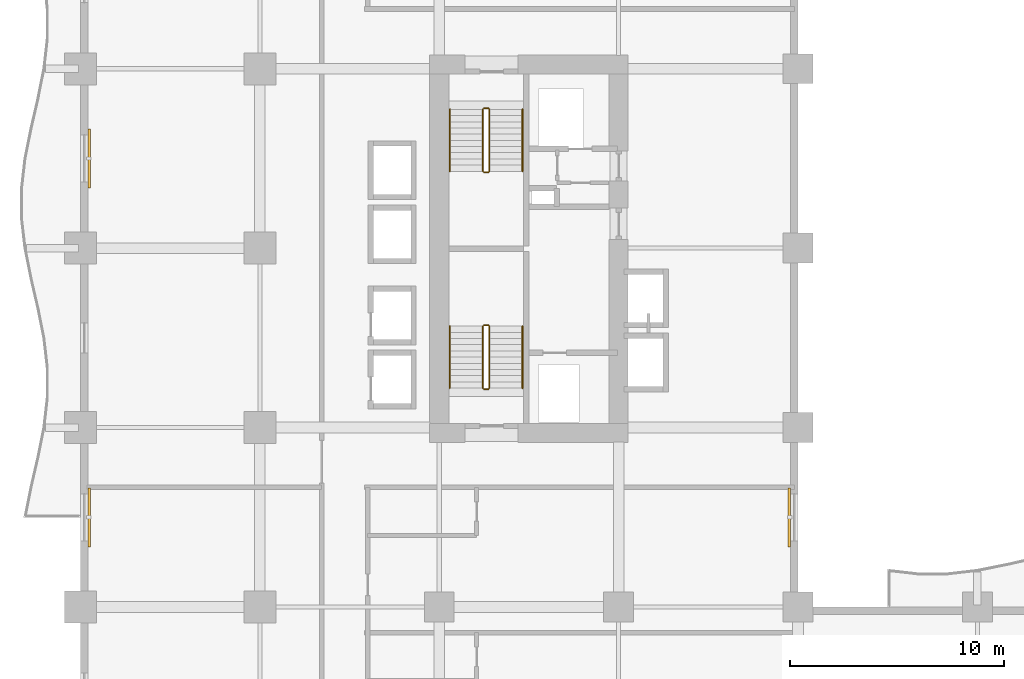
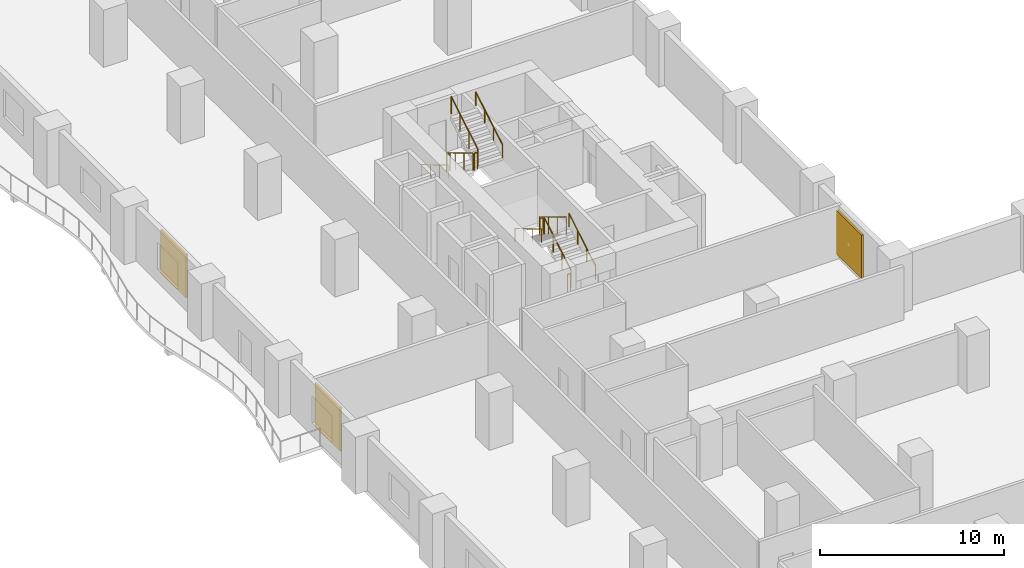
# One storey, part 17 of 18: 12 railings, 3 shading devices.
"""IFC4 building model written with IfcOpenShell, lengths in metres."""

from ifc_helpers import new_model, si_unit, direction, frame, origin, origin_2d, place, context, subcontext, project, spatial, rectangle, circle, extrude, material, layer, layer_set, type_object, element, save


model = new_model("IFC4")

# Units and contexts
model_context = context("Model", 3, precision=1e-05, world=origin(), true_north=direction((0.0, 1.0)))
body_context = subcontext(model_context, "Body", "Model", "MODEL_VIEW")
ifc_project = project(units=[si_unit("LENGTHUNIT", "METRE"), si_unit("AREAUNIT", "SQUARE_METRE"), si_unit("VOLUMEUNIT", "CUBIC_METRE"), si_unit("PLANEANGLEUNIT", "RADIAN"), si_unit("MASSUNIT", "GRAM", prefix="KILO")], contexts=[model_context])

# Site, building, storey
site_placement = place(None, origin())
site = spatial("IfcSite", under=ifc_project, at=site_placement, CompositionType="ELEMENT")
building_placement = place(site_placement, origin())
building = spatial("IfcBuilding", under=site, at=building_placement, Name="Koriwani Terraces Tower", CompositionType="ELEMENT")
storey_placement = place(building_placement, frame((0.0, 0.0, 81.39990234375)))
storey = spatial("IfcBuildingStorey", under=building, at=storey_placement, Name="L19", CompositionType="ELEMENT", Elevation=81.39990234375)

# Railings
ifc_material_1 = material(Name="Steel ASTM A572 Grade 50", Category="steel")
railing_type_1 = type_object("IfcRailingType", Name="GUARD_STAIR_WELL_1120", PredefinedType="GUARDRAIL", material=ifc_material_1)
railing_1_placement = place(storey_placement, frame((19.14990234375, 43.85009765625, 0.1728515625)))
element("IfcRailing", 1, at=railing_1_placement, inside=storey, type_object=railing_type_1, Name="L19 ST-W1 stair guard 1", PredefinedType="GUARDRAIL", context=body_context, shape_type="SweptSolid", body=[
    extrude(circle(Radius=0.02392578125, at=origin_2d()), frame((0.0, 0.0, 1.1259765625), z_axis=(0.0, 0.859141464434, 0.511738159696), x_axis=(-1.0, 0.0, 0.0)), (0.0, 0.0, 1.0), 3.375244140625),
    extrude(circle(Radius=0.02099609375, at=origin_2d()), origin(), (0.0, 0.0, 1.0), 1.101806640625),
    extrude(circle(Radius=0.02099609375, at=origin_2d()), frame((0.0, 0.966552734375, 0.57568359375)), (0.0, 0.0, 1.0), 1.101806640625),
    extrude(circle(Radius=0.02099609375, at=origin_2d()), frame((0.0, 1.933349609375, 1.151611328125)), (0.0, 0.0, 1.0), 1.101806640625),
    extrude(circle(Radius=0.02099609375, at=origin_2d()), frame((0.0, 2.89990234375, 1.727294921875)), (0.0, 0.0, 1.0), 1.101806640625),
])
railing_2_placement = place(storey_placement, frame((19.10009765625, 46.800048828125, 1.900146484375)))
element("IfcRailing", 2, at=railing_2_placement, inside=storey, type_object=railing_type_1, Name="L19 ST-W1 stair guard 2", PredefinedType="GUARDRAIL", context=body_context, shape_type="SweptSolid", body=[
    extrude(circle(Radius=0.02392578125, at=origin_2d()), frame((0.0, 0.0, 1.1259765625), z_axis=(-1.0, 0.0, 0.0), x_axis=(0.0, -1.0, 0.0)), (0.0, 0.0, 1.0), 0.2001953125),
    extrude(circle(Radius=0.02099609375, at=origin_2d()), origin(), (0.0, 0.0, 1.0), 1.101806640625),
    extrude(circle(Radius=0.02099609375, at=origin_2d()), frame((-0.2001953125, 0.0, 0.0)), (0.0, 0.0, 1.0), 1.101806640625),
])
railing_3_placement = place(storey_placement, frame((18.85009765625, 46.75, 2.07275390625)))
element("IfcRailing", 3, at=railing_3_placement, inside=storey, type_object=railing_type_1, Name="L19 ST-W1 stair guard 3", PredefinedType="GUARDRAIL", context=body_context, shape_type="SweptSolid", body=[
    extrude(circle(Radius=0.02392578125, at=origin_2d()), frame((0.0, 0.0, 1.1259765625), z_axis=(0.0, -0.859141464434, 0.511738159696), x_axis=(1.0, 0.0, 0.0)), (0.0, 0.0, 1.0), 3.375244140625),
    extrude(circle(Radius=0.02099609375, at=origin_2d()), origin(), (0.0, 0.0, 1.0), 1.101806640625),
    extrude(circle(Radius=0.02099609375, at=origin_2d()), frame((0.0, -0.966552734375, 0.57568359375)), (0.0, 0.0, 1.0), 1.101806640625),
    extrude(circle(Radius=0.02099609375, at=origin_2d()), frame((0.0, -1.933349609375, 1.151611328125)), (0.0, 0.0, 1.0), 1.101806640625),
    extrude(circle(Radius=0.02099609375, at=origin_2d()), frame((0.0, -2.89990234375, 1.727294921875)), (0.0, 0.0, 1.0), 1.101806640625),
])
railing_4_placement = place(storey_placement, frame((19.10009765625, 43.800048828125, 0.0)))
element("IfcRailing", 4, at=railing_4_placement, inside=storey, type_object=railing_type_1, Name="L19 ST-W1 stair guard 4", PredefinedType="GUARDRAIL", context=body_context, shape_type="SweptSolid", body=[
    extrude(circle(Radius=0.02392578125, at=origin_2d()), frame((0.0, 0.0, 1.1259765625), z_axis=(-1.0, 0.0, 0.0), x_axis=(0.0, -1.0, 0.0)), (0.0, 0.0, 1.0), 0.2001953125),
    extrude(circle(Radius=0.02099609375, at=origin_2d()), origin(), (0.0, 0.0, 1.0), 1.101806640625),
    extrude(circle(Radius=0.02099609375, at=origin_2d()), frame((-0.2001953125, 0.0, 0.0)), (0.0, 0.0, 1.0), 1.101806640625),
])
railing_5_placement = place(storey_placement, frame((18.85009765625, 56.89990234375, 0.1728515625)))
element("IfcRailing", 5, at=railing_5_placement, inside=storey, type_object=railing_type_1, Name="L19 ST-W2 stair guard 1", PredefinedType="GUARDRAIL", context=body_context, shape_type="SweptSolid", body=[
    extrude(circle(Radius=0.02392578125, at=origin_2d()), frame((0.0, 0.0, 1.1259765625), z_axis=(0.0, -0.859141464434, 0.511738159696), x_axis=(1.0, 0.0, 0.0)), (0.0, 0.0, 1.0), 3.375244140625),
    extrude(circle(Radius=0.02099609375, at=origin_2d()), origin(), (0.0, 0.0, 1.0), 1.101806640625),
    extrude(circle(Radius=0.02099609375, at=origin_2d()), frame((0.0, -0.966552734375, 0.57568359375)), (0.0, 0.0, 1.0), 1.101806640625),
    extrude(circle(Radius=0.02099609375, at=origin_2d()), frame((0.0, -1.933349609375, 1.151611328125)), (0.0, 0.0, 1.0), 1.101806640625),
    extrude(circle(Radius=0.02099609375, at=origin_2d()), frame((0.0, -2.89990234375, 1.727294921875)), (0.0, 0.0, 1.0), 1.101806640625),
])
railing_6_placement = place(storey_placement, frame((18.89990234375, 53.949951171875, 1.900146484375)))
element("IfcRailing", 6, at=railing_6_placement, inside=storey, type_object=railing_type_1, Name="L19 ST-W2 stair guard 2", PredefinedType="GUARDRAIL", context=body_context, shape_type="SweptSolid", body=[
    extrude(circle(Radius=0.02392578125, at=origin_2d()), frame((0.0, 0.0, 1.1259765625), z_axis=(1.0, 0.0, 0.0), x_axis=(0.0, 1.0, 0.0)), (0.0, 0.0, 1.0), 0.2001953125),
    extrude(circle(Radius=0.02099609375, at=origin_2d()), origin(), (0.0, 0.0, 1.0), 1.101806640625),
    extrude(circle(Radius=0.02099609375, at=origin_2d()), frame((0.2001953125, 0.0, 0.0)), (0.0, 0.0, 1.0), 1.101806640625),
])
railing_7_placement = place(storey_placement, frame((19.14990234375, 54.0, 2.07275390625)))
element("IfcRailing", 7, at=railing_7_placement, inside=storey, type_object=railing_type_1, Name="L19 ST-W2 stair guard 3", PredefinedType="GUARDRAIL", context=body_context, shape_type="SweptSolid", body=[
    extrude(circle(Radius=0.02392578125, at=origin_2d()), frame((0.0, 0.0, 1.1259765625), z_axis=(0.0, 0.859141464434, 0.511738159696), x_axis=(-1.0, 0.0, 0.0)), (0.0, 0.0, 1.0), 3.375244140625),
    extrude(circle(Radius=0.02099609375, at=origin_2d()), origin(), (0.0, 0.0, 1.0), 1.101806640625),
    extrude(circle(Radius=0.02099609375, at=origin_2d()), frame((0.0, 0.966552734375, 0.57568359375)), (0.0, 0.0, 1.0), 1.101806640625),
    extrude(circle(Radius=0.02099609375, at=origin_2d()), frame((0.0, 1.933349609375, 1.151611328125)), (0.0, 0.0, 1.0), 1.101806640625),
    extrude(circle(Radius=0.02099609375, at=origin_2d()), frame((0.0, 2.89990234375, 1.727294921875)), (0.0, 0.0, 1.0), 1.101806640625),
])
railing_8_placement = place(storey_placement, frame((18.89990234375, 56.949951171875, 0.0)))
element("IfcRailing", 8, at=railing_8_placement, inside=storey, type_object=railing_type_1, Name="L19 ST-W2 stair guard 4", PredefinedType="GUARDRAIL", context=body_context, shape_type="SweptSolid", body=[
    extrude(circle(Radius=0.02392578125, at=origin_2d()), frame((0.0, 0.0, 1.1259765625), z_axis=(1.0, 0.0, 0.0), x_axis=(0.0, 1.0, 0.0)), (0.0, 0.0, 1.0), 0.2001953125),
    extrude(circle(Radius=0.02099609375, at=origin_2d()), origin(), (0.0, 0.0, 1.0), 1.101806640625),
    extrude(circle(Radius=0.02099609375, at=origin_2d()), frame((0.2001953125, 0.0, 0.0)), (0.0, 0.0, 1.0), 1.101806640625),
])
railing_type_2 = type_object("IfcRailingType", Name="HANDRAIL_STAIR_920", PredefinedType="HANDRAIL", material=ifc_material_1)
railing_9_placement = place(storey_placement, frame((20.699951171875, 43.85009765625, 0.1728515625)))
element("IfcRailing", 9, at=railing_9_placement, inside=storey, type_object=railing_type_2, Name="L19 ST-W1 stair handrail 1", PredefinedType="HANDRAIL", context=body_context, shape_type="SweptSolid", body=[
    extrude(circle(Radius=0.02392578125, at=origin_2d()), frame((0.0, 0.0, 0.8759765625), z_axis=(0.0, 0.859141464434, 0.511738159696), x_axis=(-1.0, 0.0, 0.0)), (0.0, 0.0, 1.0), 3.375244140625),
    extrude(circle(Radius=0.02099609375, at=origin_2d()), origin(), (0.0, 0.0, 1.0), 0.851806640625),
    extrude(circle(Radius=0.02099609375, at=origin_2d()), frame((0.0, 0.966552734375, 0.57568359375)), (0.0, 0.0, 1.0), 0.851806640625),
    extrude(circle(Radius=0.02099609375, at=origin_2d()), frame((0.0, 1.933349609375, 1.151611328125)), (0.0, 0.0, 1.0), 0.851806640625),
    extrude(circle(Radius=0.02099609375, at=origin_2d()), frame((0.0, 2.89990234375, 1.727294921875)), (0.0, 0.0, 1.0), 0.851806640625),
])
for number, where, name in (
    (10, (17.300048828125, 46.75, 2.07275390625), "L19 ST-W1 stair handrail 2"),
    (11, (17.300048828125, 56.89990234375, 0.1728515625), "L19 ST-W2 stair handrail 1"),
):
    element("IfcRailing", number, at=place(storey_placement, frame(where)), inside=storey, type_object=railing_type_2, Name=name, PredefinedType="HANDRAIL", context=body_context, shape_type="SweptSolid", body=[
        extrude(circle(Radius=0.02392578125, at=origin_2d()), frame((0.0, 0.0, 0.8759765625), z_axis=(0.0, -0.859141464434, 0.511738159696), x_axis=(1.0, 0.0, 0.0)), (0.0, 0.0, 1.0), 3.375244140625),
        extrude(circle(Radius=0.02099609375, at=origin_2d()), origin(), (0.0, 0.0, 1.0), 0.851806640625),
        extrude(circle(Radius=0.02099609375, at=origin_2d()), frame((0.0, -0.966552734375, 0.57568359375)), (0.0, 0.0, 1.0), 0.851806640625),
        extrude(circle(Radius=0.02099609375, at=origin_2d()), frame((0.0, -1.933349609375, 1.151611328125)), (0.0, 0.0, 1.0), 0.851806640625),
        extrude(circle(Radius=0.02099609375, at=origin_2d()), frame((0.0, -2.89990234375, 1.727294921875)), (0.0, 0.0, 1.0), 0.851806640625),
    ])
railing_10_placement = place(storey_placement, frame((20.699951171875, 54.0, 2.07275390625)))
element("IfcRailing", 12, at=railing_10_placement, inside=storey, type_object=railing_type_2, Name="L19 ST-W2 stair handrail 2", PredefinedType="HANDRAIL", context=body_context, shape_type="SweptSolid", body=[
    extrude(circle(Radius=0.02392578125, at=origin_2d()), frame((0.0, 0.0, 0.8759765625), z_axis=(0.0, 0.859141464434, 0.511738159696), x_axis=(-1.0, 0.0, 0.0)), (0.0, 0.0, 1.0), 3.375244140625),
    extrude(circle(Radius=0.02099609375, at=origin_2d()), origin(), (0.0, 0.0, 1.0), 0.851806640625),
    extrude(circle(Radius=0.02099609375, at=origin_2d()), frame((0.0, 0.966552734375, 0.57568359375)), (0.0, 0.0, 1.0), 0.851806640625),
    extrude(circle(Radius=0.02099609375, at=origin_2d()), frame((0.0, 1.933349609375, 1.151611328125)), (0.0, 0.0, 1.0), 0.851806640625),
    extrude(circle(Radius=0.02099609375, at=origin_2d()), frame((0.0, 2.89990234375, 1.727294921875)), (0.0, 0.0, 1.0), 0.851806640625),
])

# Shading devices
ifc_material_2 = material(Name="Extruded Terracotta Clay", Category="masonry")
ifc_layer = layer(ifc_material_2, 0.1201171875, Name="Extruded Terracotta Clay")
ifc_layer_set = layer_set([ifc_layer], Name="Extruded Terracotta Clay")
shading_device_type = type_object("IfcShadingDeviceType", Name="TERRACOTTA_BAGUETTE_SCREEN_2800", PredefinedType="USERDEFINED", material=ifc_layer_set)
for number, where, z_axis, x_axis, name in (
    (13, (0.405029296875, 37.800048828125, 0.3251953125), (0.0, 0.0, 1.0), (0.0, 1.0, 0.0), "L19 Extruded Terracotta Baguette Screen (W-12)"),
    (14, (0.405029296875, 54.60009765625, 0.3251953125), (0.0, 0.0, 1.0), (0.0, 1.0, 0.0), "L19 Extruded Terracotta Baguette Screen (W-18)"),
    (15, (33.195068359375, 37.800048828125, 0.3251953125), (0.0, 0.0, 1.0), (0.0, -1.0, 0.0), "L19 Extruded Terracotta Baguette Screen (NW_IN-2)"),
):
    element("IfcShadingDevice", number, at=place(storey_placement, frame(where, z_axis=z_axis, x_axis=x_axis)), inside=storey, type_object=shading_device_type, Name=name, ObjectType="BAGUETTE", PredefinedType="USERDEFINED", context=body_context, shape_type="SweptSolid", body=[
        extrude(rectangle(XDim=2.760009765625, YDim=0.1201171875, at=origin_2d()), origin(), (0.0, 0.0, 1.0), 2.89990234375),
    ])

save(model, "model.ifc")
